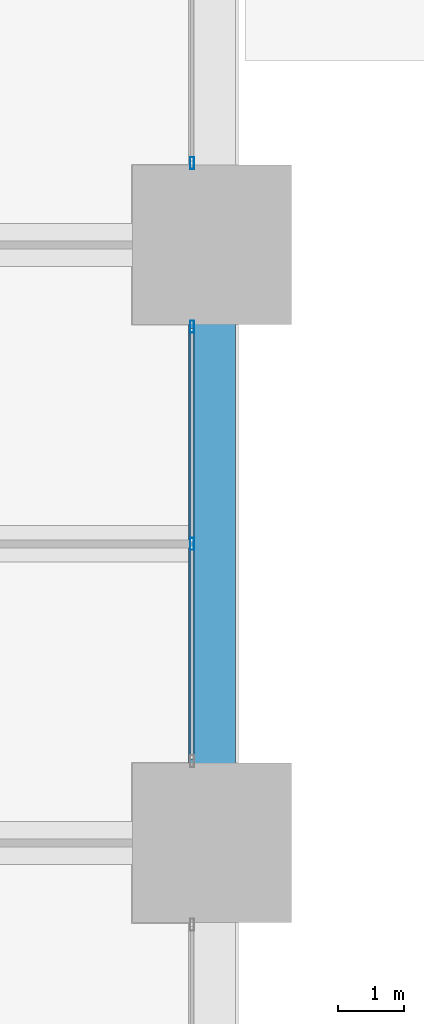
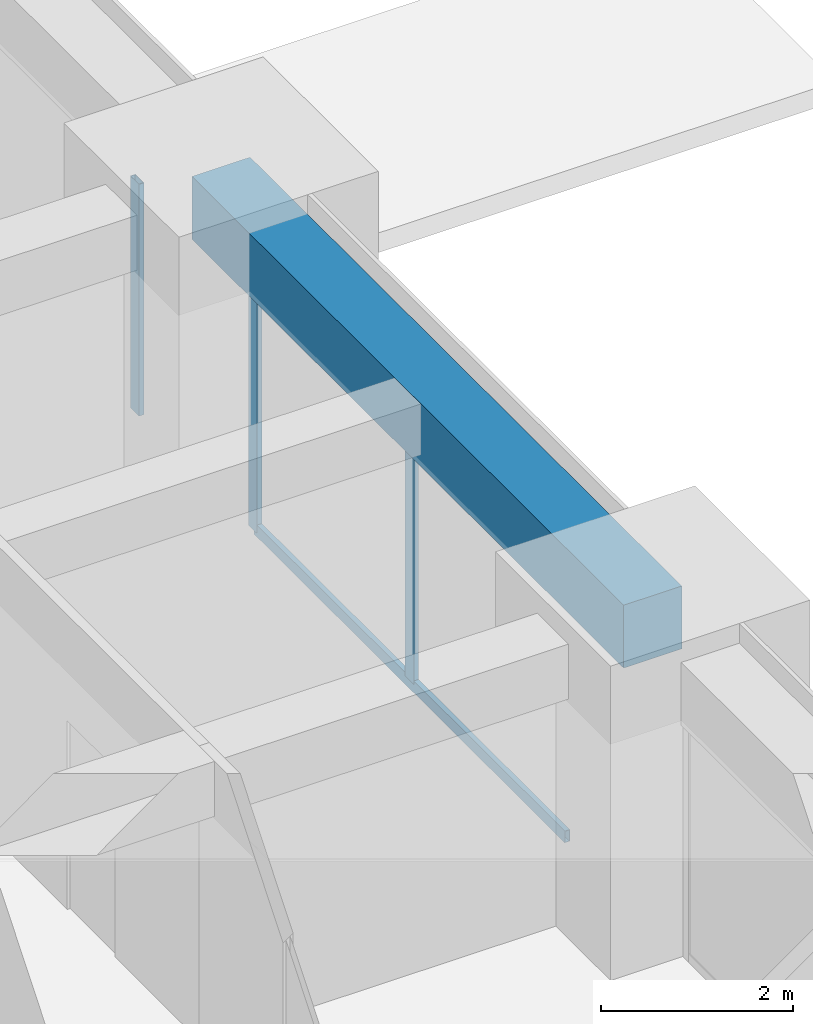
# One storey, part 29 of 39: 4 members, 1 beam, 2 elements without a shape of their own.
"""IFC4 building model written with IfcOpenShell, lengths in metres."""

from ifc_helpers import new_model, si_unit, direction, frame, origin, origin_2d, place, context, subcontext, project, spatial, rectangle, hollow_rectangle, extrude, material, material_profile, profile_set, type_object, element, aggregate, save


model = new_model("IFC4")

# Units and contexts
model_context = context("Model", 3, precision=1e-05, world=origin(), true_north=direction((0.0, 1.0)))
body_context = subcontext(model_context, "Body", "Model", "MODEL_VIEW")
ifc_project = project(units=[si_unit("LENGTHUNIT", "METRE"), si_unit("AREAUNIT", "SQUARE_METRE"), si_unit("VOLUMEUNIT", "CUBIC_METRE"), si_unit("PLANEANGLEUNIT", "RADIAN"), si_unit("MASSUNIT", "GRAM", prefix="KILO")], contexts=[model_context])

# Site, building, storey
site_placement = place(None, origin())
site = spatial("IfcSite", under=ifc_project, at=site_placement, CompositionType="ELEMENT")
building_placement = place(site_placement, origin())
building = spatial("IfcBuilding", under=site, at=building_placement, Name="Zorevar Civic Tower", CompositionType="ELEMENT")
storey_placement = place(building_placement, frame((0.0, 0.0, 19.800048828125)))
storey = spatial("IfcBuildingStorey", under=building, at=storey_placement, Name="L04", CompositionType="ELEMENT", Elevation=19.800048828125)

# Curtain wall, members
ifc_material_1 = material(Name="Dark grey solar-control glass in black aluminium frame", Category="aluminium")
curtain_wall_type = type_object("IfcCurtainWallType", Name="Curtain wall CW2 low zone", PredefinedType="NOTDEFINED", material=ifc_material_1)
curtain_wall_1_placement = place(storey_placement, origin())
curtain_wall_1 = element("IfcCurtainWall", 1, at=curtain_wall_1_placement, inside=storey, type_object=curtain_wall_type, Name="CW2 L04", PredefinedType="NOTDEFINED")
ifc_material_2 = material(Name="Aluminium, black anodised", Category="aluminium")
ifc_material_profile_1 = material_profile(ifc_material_2, hollow_rectangle(XDim=0.06005859375, YDim=0.179931640625, WallThickness=0.00390625, at=origin_2d()), Name="AL 180x60x4")
ifc_profile_set_1 = profile_set([ifc_material_profile_1], Name="Aluminium, black anodised")
member_type_1 = type_object("IfcMemberType", Name="CW2 mullion AL 180x60x4", PredefinedType="MULLION", material=ifc_profile_set_1)
member_1_placement = place(storey_placement, frame((62.699951171875, 31.5, 0.06005859375), z_axis=(0.0, 0.0, 1.0), x_axis=(-1.0, 0.0, 0.0)))
member_1 = element("IfcMember", 2, at=member_1_placement, type_object=member_type_1, Name="CW2 mullion 2", PredefinedType="MULLION", context=body_context, shape_type="SweptSolid", body=[
    extrude(hollow_rectangle(XDim=0.06005859375, YDim=0.179931640625, WallThickness=0.00390625, at=origin_2d()), origin(), (0.0, 0.0, 1.0), 2.889892578125),
])
member_2_placement = place(storey_placement, frame((62.699951171875, 34.77001953125, 0.0), z_axis=(0.0, 0.0, 1.0), x_axis=(-1.0, 0.0, 0.0)))
member_2 = element("IfcMember", 3, at=member_2_placement, type_object=member_type_1, Name="CW2 mullion 3", PredefinedType="MULLION", context=body_context, shape_type="SweptSolid", body=[
    extrude(hollow_rectangle(XDim=0.06005859375, YDim=0.179931640625, WallThickness=0.00390625, at=origin_2d()), origin(), (0.0, 0.0, 1.0), 2.949951171875),
])

# Curtain wall, member
curtain_wall_2_placement = place(storey_placement, origin())
curtain_wall_2 = element("IfcCurtainWall", 4, at=curtain_wall_2_placement, inside=storey, type_object=curtain_wall_type, Name="CW2 L04", PredefinedType="NOTDEFINED")
member_3_placement = place(storey_placement, frame((62.699951171875, 37.22998046875, 0.0), z_axis=(0.0, 0.0, 1.0), x_axis=(-1.0, 0.0, 0.0)))
member_3 = element("IfcMember", 5, at=member_3_placement, type_object=member_type_1, Name="CW2 mullion 1", PredefinedType="MULLION", context=body_context, shape_type="SweptSolid", body=[
    extrude(hollow_rectangle(XDim=0.06005859375, YDim=0.179931640625, WallThickness=0.00390625, at=origin_2d()), origin(), (0.0, 0.0, 1.0), 2.949951171875),
])
aggregate(curtain_wall_2, [member_3])

# Member
ifc_material_3 = material(Name="Aluminium, black anodised", Category="aluminium")
ifc_material_profile_2 = material_profile(ifc_material_3, hollow_rectangle(XDim=0.06005859375, YDim=0.14990234375, WallThickness=0.00390625, at=origin_2d()), Name="AL 150x60x4")
ifc_profile_set_2 = profile_set([ifc_material_profile_2], Name="Aluminium, black anodised")
member_type_2 = type_object("IfcMemberType", Name="CW2 transom AL 150x60x4", PredefinedType="USERDEFINED", material=ifc_profile_set_2)
member_4_placement = place(storey_placement, frame((62.699951171875, 28.260009765625, 0.030029296875), z_axis=(0.0, 1.0, 0.0), x_axis=(-1.0, 0.0, 0.0)))
member_4 = element("IfcMember", 6, at=member_4_placement, type_object=member_type_2, Name="CW2 sill transom", ObjectType="TRANSOM", PredefinedType="USERDEFINED", context=body_context, shape_type="SweptSolid", body=[
    extrude(hollow_rectangle(XDim=0.06005859375, YDim=0.14990234375, WallThickness=0.00390625, at=origin_2d()), origin(), (0.0, 0.0, 1.0), 6.47998046875),
])

aggregate(curtain_wall_1, [member_1, member_2, member_4])

# Beam
ifc_material_4 = material(Name="Concrete C50/60", Category="concrete")
ifc_material_profile_3 = material_profile(ifc_material_4, rectangle(XDim=0.699951171875, YDim=0.800048828125, at=origin_2d()), Name="RC 700x800")
ifc_profile_set_3 = profile_set([ifc_material_profile_3], Name="Concrete C50/60")
beam_type = type_object("IfcBeamType", Name="Edge beam RC 700x800", PredefinedType="SPANDREL", material=ifc_profile_set_3)
beam_placement = place(storey_placement, frame((63.0, 27.0, 3.349853515625), z_axis=(0.0, 1.0, 0.0), x_axis=(-1.0, 0.0, 0.0)))
element("IfcBeam", 7, at=beam_placement, inside=storey, type_object=beam_type, Name="Edge beam L05", PredefinedType="SPANDREL", context=body_context, shape_type="SweptSolid", body=[
    extrude(rectangle(XDim=0.699951171875, YDim=0.800048828125, at=origin_2d()), origin(), (0.0, 0.0, 1.0), 9.0),
])

save(model, "model.ifc")
